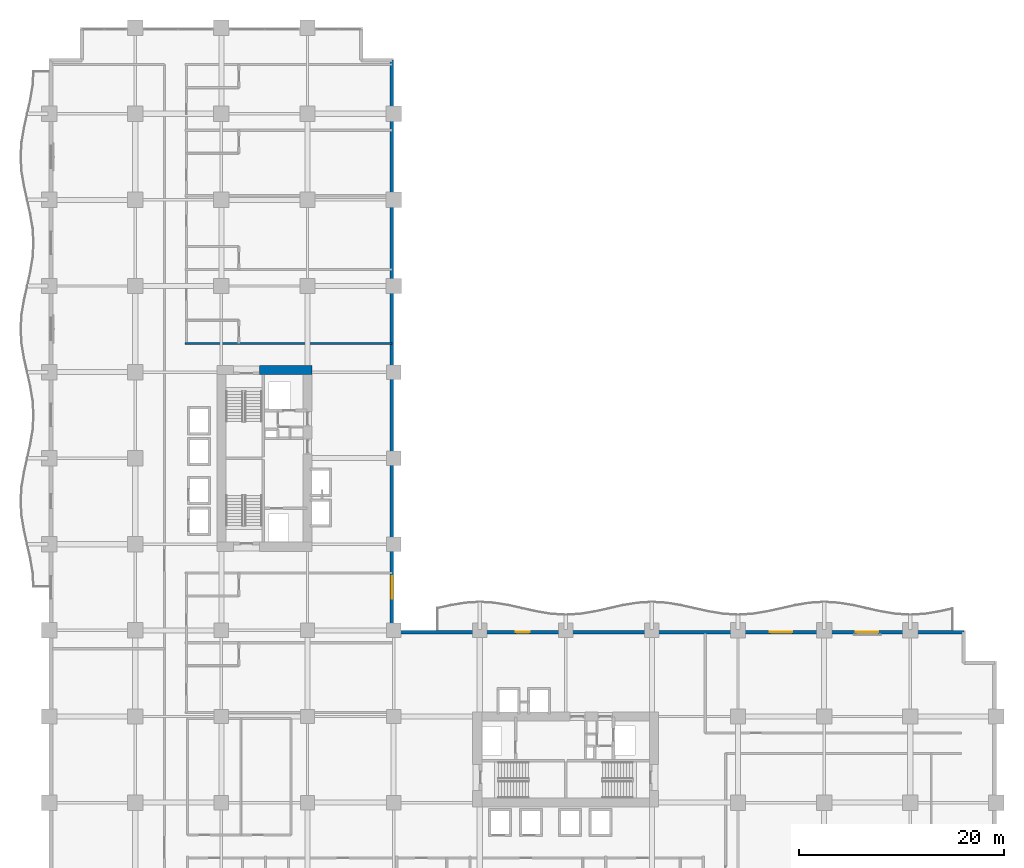
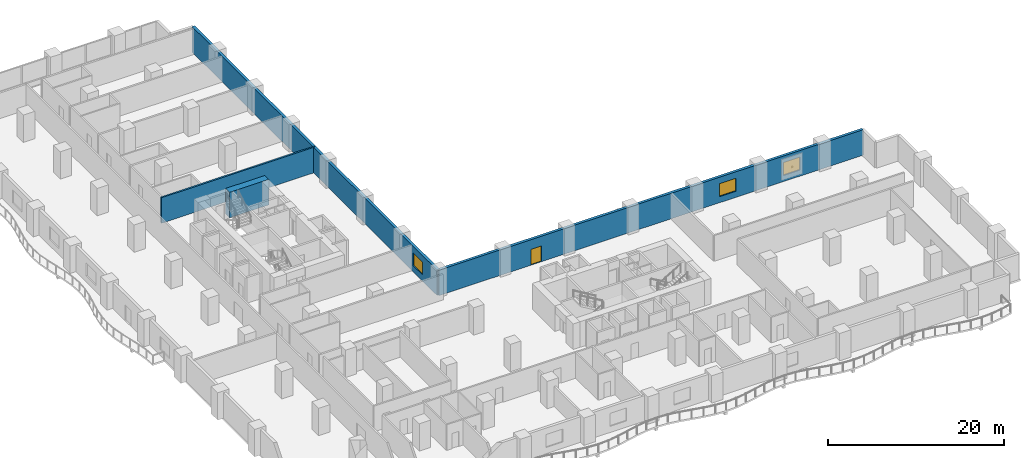
# One storey, part 13 of 22: 4 walls, 3 windows, 1 door, 4 openings.
"""IFC4 building model written with IfcOpenShell, lengths in metres."""

from ifc_helpers import new_model, si_unit, direction, frame, frame_2d, origin, place, context, subcontext, project, spatial, rectangle, extrude, material, layer, layer_set, type_object, element, fill, save


model = new_model("IFC4")

# Units and contexts
model_context = context("Model", 3, precision=1e-05, world=origin(), true_north=direction((0.0, 1.0)))
body_context = subcontext(model_context, "Body", "Model", "MODEL_VIEW")
ifc_project = project(units=[si_unit("LENGTHUNIT", "METRE"), si_unit("AREAUNIT", "SQUARE_METRE"), si_unit("VOLUMEUNIT", "CUBIC_METRE"), si_unit("PLANEANGLEUNIT", "RADIAN"), si_unit("MASSUNIT", "GRAM", prefix="KILO")], contexts=[model_context])

# Site, building, storey
site_placement = place(None, origin())
site = spatial("IfcSite", under=ifc_project, at=site_placement, CompositionType="ELEMENT")
building_placement = place(site_placement, origin())
building = spatial("IfcBuilding", under=site, at=building_placement, Name="Koriwani Terraces Tower", CompositionType="ELEMENT")
storey_placement = place(building_placement, frame((0.0, 0.0, 62.39990234375)))
storey = spatial("IfcBuildingStorey", under=building, at=storey_placement, Name="L14", CompositionType="ELEMENT", Elevation=62.39990234375)

# Walls
ifc_material_1 = material(Name="Concrete C60/75", Category="concrete")
ifc_layer_1 = layer(ifc_material_1, 0.89990234375, Name="Concrete C60/75")
ifc_layer_set_1 = layer_set([ifc_layer_1], Name="Concrete C60/75")
wall_type_1 = type_object("IfcWallType", Name="WALL_CORE_RC_900", PredefinedType="SHEAR", material=ifc_layer_set_1)
wall_1_placement = place(storey_placement, frame((20.5, 59.0, 0.0), z_axis=(0.0, 0.0, 1.0), x_axis=(1.0, 0.0, 0.0)))
element("IfcWall", 1, at=wall_1_placement, inside=storey, type_object=wall_type_1, Name="L14 West Split Core Shear Wall N2", PredefinedType="SHEAR", context=body_context, shape_type="SweptSolid", body=[
    extrude(rectangle(XDim=5.14990234375, YDim=0.89990234375, at=frame_2d((2.574951171875, 0.0))), origin(), (0.0, 0.0, 1.0), 3.550048828125),
])
ifc_material_2 = material(Name="Autoclaved Cellular Concrete Blockwork", Category="masonry")
ifc_layer_2 = layer(ifc_material_2, 0.219970703125, Name="Autoclaved Cellular Concrete Blockwork")
ifc_layer_set_2 = layer_set([ifc_layer_2], Name="Autoclaved Cellular Concrete Blockwork")
wall_type_2 = type_object("IfcWallType", Name="WALL_DEMISING_220", PredefinedType="PARTITIONING", material=ifc_layer_set_2)
wall_2_placement = place(storey_placement, frame((13.25, 61.60009765625, 0.0), z_axis=(0.0, 0.0, 1.0), x_axis=(1.0, 0.0, 0.0)))
element("IfcWall", 2, at=wall_2_placement, inside=storey, type_object=wall_type_2, Name="L14 Interior Wall WDEM-L14-NE-0", PredefinedType="PARTITIONING", context=body_context, shape_type="SweptSolid", body=[
    extrude(rectangle(XDim=20.179931640625, YDim=0.219970703125, at=frame_2d((10.08984375, 0.0))), origin(), (0.0, 0.0, 1.0), 3.550048828125),
])

# Wall, opening, window
ifc_material_3 = material(Name="Concrete C50/60", Category="concrete")
ifc_layer_3 = layer(ifc_material_3, 0.35009765625, Name="Concrete C50/60")
ifc_layer_set_3 = layer_set([ifc_layer_3], Name="Concrete C50/60")
wall_type_3 = type_object("IfcWallType", Name="WALL_EXT_BRUTALIST_350", PredefinedType="STANDARD", material=ifc_layer_set_3)
wall_3_placement = place(storey_placement, frame((33.425048828125, 89.22509765625, 0.0), z_axis=(0.0, 0.0, 1.0), x_axis=(0.0, -1.0, 0.0)))
wall_3 = element("IfcWall", 3, at=wall_3_placement, inside=storey, type_object=wall_type_3, Name="L14 Fair-Faced Brutalist Exterior Wall (NW_IN)", PredefinedType="STANDARD", context=body_context, shape_type="SweptSolid", body=[
    extrude(rectangle(XDim=55.800048828125, YDim=0.35009765625, at=frame_2d((27.89990234375, 0.0))), origin(), (0.0, 0.0, 1.0), 3.550048828125),
])
opening_1_placement = place(wall_3_placement, frame((50.324951171875, 0.0, 0.85009765625)))
opening_1 = element("IfcOpeningElement", 4, at=opening_1_placement, cuts=wall_3, Name="Opening W-01", PredefinedType="OPENING", context=body_context, shape_type="SweptSolid", body=[
    extrude(rectangle(XDim=2.199951171875, YDim=1.800048828125, at=frame_2d((1.10009765625, 0.89990234375))), frame((0.0, 0.18505859375, 0.0), z_axis=(0.0, -1.0, 0.0), x_axis=(1.0, 0.0, 0.0)), (0.0, 0.0, 1.0), 0.3701171875),
])
ifc_material_4 = material(Name="Tempered Laminated Low-E Glass", Category="glass")
window_type = type_object("IfcWindowType", Name="WIN_HOTEL_STD_2200X1800", PartitioningType="DOUBLE_PANEL_VERTICAL", PredefinedType="WINDOW", material=ifc_material_4)
window_1_placement = place(opening_1_placement, origin())
window_1 = element("IfcWindow", 5, at=window_1_placement, inside=storey, type_object=window_type, Name="L14 Exterior Window (NW_IN-2)", OverallHeight=1.800048828125, OverallWidth=2.199951171875, PartitioningType="SINGLE_PANEL", PredefinedType="WINDOW", context=body_context, shape_type="SweptSolid", body=[
    extrude(rectangle(XDim=2.199951171875, YDim=1.800048828125, at=frame_2d((1.10009765625, 0.89990234375))), frame((0.0, 0.030029296875, 0.0), z_axis=(0.0, -1.0, 0.0), x_axis=(1.0, 0.0, 0.0)), (0.0, 0.0, 1.0), 0.06005859375),
])
fill(opening_1, window_1)

# Wall, openings, door, windows
wall_4_placement = place(storey_placement, frame((33.425048828125, 33.425048828125, 0.0), z_axis=(0.0, 0.0, 1.0), x_axis=(1.0, 0.0, 0.0)))
wall_4 = element("IfcWall", 6, at=wall_4_placement, inside=storey, type_object=wall_type_3, Name="L14 Fair-Faced Brutalist Exterior Wall (NE)", PredefinedType="STANDARD", context=body_context, shape_type="SweptSolid", body=[
    extrude(rectangle(XDim=55.800048828125, YDim=0.35009765625, at=frame_2d((27.89990234375, 0.0))), origin(), (0.0, 0.0, 1.0), 3.550048828125),
])
opening_2_placement = place(wall_4_placement, frame((12.074951171875, 0.0, 0.0)))
opening_2 = element("IfcOpeningElement", 7, at=opening_2_placement, cuts=wall_4, Name="Opening D-09", PredefinedType="OPENING", context=body_context, shape_type="SweptSolid", body=[
    extrude(rectangle(XDim=1.39990234375, YDim=2.199951171875, at=frame_2d((0.699951171875, 1.10009765625))), frame((0.0, 0.18505859375, 0.0), z_axis=(0.0, -1.0, 0.0), x_axis=(1.0, 0.0, 0.0)), (0.0, 0.0, 1.0), 0.3701171875),
])
opening_3_placement = place(wall_4_placement, frame((36.875, 0.0, 0.85009765625)))
opening_3 = element("IfcOpeningElement", 8, at=opening_3_placement, cuts=wall_4, Name="Opening W-01", PredefinedType="OPENING", context=body_context, shape_type="SweptSolid", body=[
    extrude(rectangle(XDim=2.199951171875, YDim=1.800048828125, at=frame_2d((1.10009765625, 0.89990234375))), frame((0.0, 0.18505859375, 0.0), z_axis=(0.0, -1.0, 0.0), x_axis=(1.0, 0.0, 0.0)), (0.0, 0.0, 1.0), 0.3701171875),
])
opening_4_placement = place(wall_4_placement, frame((45.27490234375, 0.0, 0.85009765625)))
opening_4 = element("IfcOpeningElement", 9, at=opening_4_placement, cuts=wall_4, Name="Opening W-01", PredefinedType="OPENING", context=body_context, shape_type="SweptSolid", body=[
    extrude(rectangle(XDim=2.199951171875, YDim=1.800048828125, at=frame_2d((1.10009765625, 0.89990234375))), frame((0.0, 0.18505859375, 0.0), z_axis=(0.0, -1.0, 0.0), x_axis=(1.0, 0.0, 0.0)), (0.0, 0.0, 1.0), 0.3701171875),
])
ifc_material_5 = material(Name="Anodised Bronze Aluminium", Category="aluminium")
door_type = type_object("IfcDoorType", Name="DOOR_BALCONY_GLAZED_1400X2200", OperationType="NOTDEFINED", PredefinedType="DOOR", material=ifc_material_5)
door_placement = place(opening_2_placement, origin())
door = element("IfcDoor", 10, at=door_placement, inside=storey, type_object=door_type, Name="L14 Inner Court Balcony Glazed Door", OperationType="SINGLE_SWING_LEFT", OverallHeight=2.199951171875, OverallWidth=1.39990234375, PredefinedType="DOOR", context=body_context, shape_type="SweptSolid", body=[
    extrude(rectangle(XDim=1.39990234375, YDim=2.199951171875, at=frame_2d((0.699951171875, 1.10009765625))), frame((0.0, 0.02490234375, 0.0), z_axis=(0.0, -1.0, 0.0), x_axis=(1.0, 0.0, 0.0)), (0.0, 0.0, 1.0), 0.050048828125),
])
fill(opening_2, door)
window_2_placement = place(opening_3_placement, origin())
window_2 = element("IfcWindow", 11, at=window_2_placement, inside=storey, type_object=window_type, Name="L14 Exterior Window (NE-14)", OverallHeight=1.800048828125, OverallWidth=2.199951171875, PartitioningType="SINGLE_PANEL", PredefinedType="WINDOW", context=body_context, shape_type="SweptSolid", body=[
    extrude(rectangle(XDim=2.199951171875, YDim=1.800048828125, at=frame_2d((1.10009765625, 0.89990234375))), frame((0.0, 0.030029296875, 0.0), z_axis=(0.0, -1.0, 0.0), x_axis=(1.0, 0.0, 0.0)), (0.0, 0.0, 1.0), 0.06005859375),
])
fill(opening_3, window_2)
window_3_placement = place(opening_4_placement, origin())
window_3 = element("IfcWindow", 12, at=window_3_placement, inside=storey, type_object=window_type, Name="L14 Exterior Window (NE-17)", OverallHeight=1.800048828125, OverallWidth=2.199951171875, PartitioningType="SINGLE_PANEL", PredefinedType="WINDOW", context=body_context, shape_type="SweptSolid", body=[
    extrude(rectangle(XDim=2.199951171875, YDim=1.800048828125, at=frame_2d((1.10009765625, 0.89990234375))), frame((0.0, 0.030029296875, 0.0), z_axis=(0.0, -1.0, 0.0), x_axis=(1.0, 0.0, 0.0)), (0.0, 0.0, 1.0), 0.06005859375),
])
fill(opening_4, window_3)

save(model, "model.ifc")
